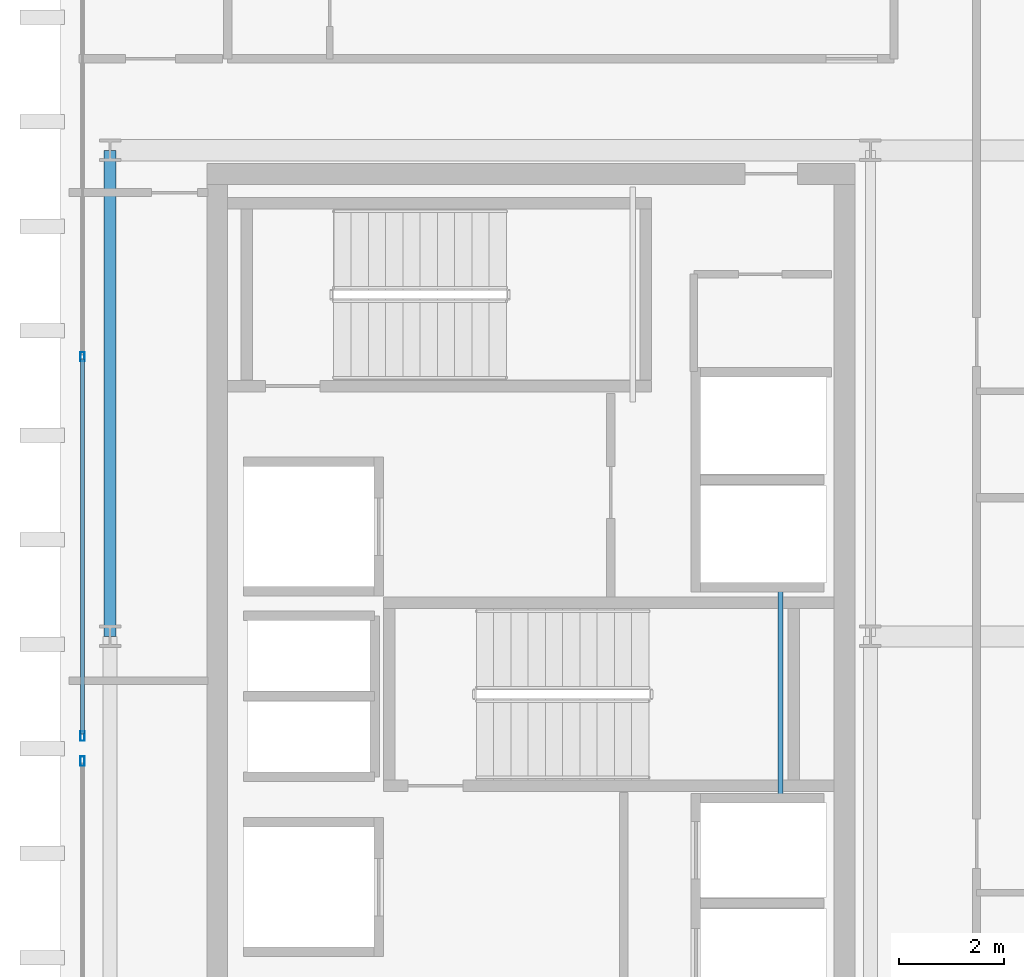
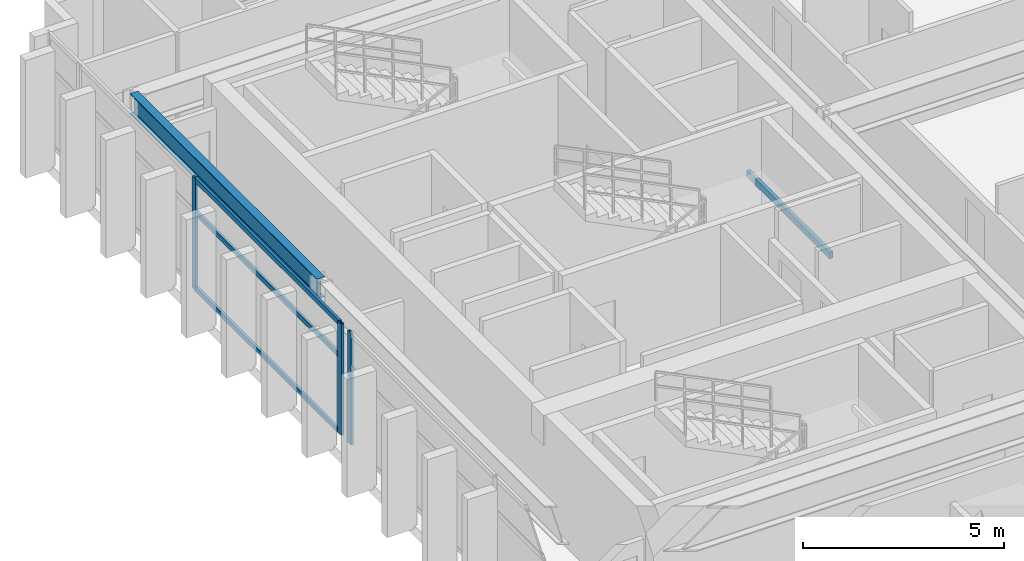
# One storey, part 7 of 17: 6 members, 2 beams, 2 elements without a shape of their own.
"""IFC4 building model written with IfcOpenShell, lengths in metres."""

from ifc_helpers import new_model, si_unit, direction, frame, origin, origin_2d, place, context, subcontext, project, spatial, hollow_rectangle, i_section, extrude, source, transform, mapped, material, layer, layer_set, material_profile, profile_set, type_object, element, aggregate, save


model = new_model("IFC4")

# Units and contexts
model_context = context("Model", 3, precision=1e-05, world=origin(), true_north=direction((0.0, 1.0)))
body_context = subcontext(model_context, "Body", "Model", "MODEL_VIEW")
ifc_project = project(units=[si_unit("LENGTHUNIT", "METRE"), si_unit("AREAUNIT", "SQUARE_METRE"), si_unit("VOLUMEUNIT", "CUBIC_METRE"), si_unit("PLANEANGLEUNIT", "RADIAN"), si_unit("MASSUNIT", "GRAM", prefix="KILO")], contexts=[model_context])

# Site, building, storey
site_placement = place(None, origin())
site = spatial("IfcSite", under=ifc_project, at=site_placement, CompositionType="ELEMENT")
building_placement = place(site_placement, origin())
building = spatial("IfcBuilding", under=site, at=building_placement, Name="Ocotamira Hotel", CompositionType="ELEMENT")
storey_placement = place(building_placement, frame((0.0, 0.0, 272.39990234375)))
storey = spatial("IfcBuildingStorey", under=building, at=storey_placement, Name="L69", CompositionType="ELEMENT", Elevation=272.39990234375)

# Beams
ifc_material_1 = material(Name="Steel ASTM A500 Grade C", Category="steel")
ifc_material_profile_1 = material_profile(ifc_material_1, hollow_rectangle(XDim=0.10009765625, YDim=0.199951171875, WallThickness=0.008056640625, at=origin_2d()), Name="HSS200X100X8")
ifc_profile_set_1 = profile_set([ifc_material_profile_1], Name="Steel ASTM A500 Grade C")
beam_type_1 = type_object("IfcBeamType", Name="BM-STLDG-HSS200", PredefinedType="BEAM", material=ifc_profile_set_1)
shared_shape_1 = source(origin(), body_context, "Body", "SweptSolid", [
    extrude(hollow_rectangle(XDim=0.10009765625, YDim=0.199951171875, WallThickness=0.008056640625, at=origin_2d()), origin(), (0.0, 0.0, 1.0), 4.1201171875),
])
beam_1_placement = place(storey_placement, frame((21.780029296875, 24.97998046875, 1.5), z_axis=(0.0, 1.0, 0.0), x_axis=(-1.0, 0.0, 0.0)))
element("IfcBeam", 1, at=beam_1_placement, inside=storey, type_object=beam_type_1, Name="L69 Stair ST-3 Landing Bearer 1", PredefinedType="BEAM", context=body_context, shape_type="MappedRepresentation", body=[
    mapped(shared_shape_1, transform((0.0, 0.0, 0.0), scale=1.0)),
])
ifc_material_2 = material(Name="Steel ASTM A992 Grade 50", Category="steel")
ifc_material_profile_2 = material_profile(ifc_material_2, i_section(OverallWidth=0.22998046875, OverallDepth=0.616943359375, WebThickness=0.01318359375, FlangeThickness=0.022216796875, FilletRadius=0.012939453125, at=origin_2d()), Name="W24X94")
ifc_profile_set_2 = profile_set([ifc_material_profile_2], Name="Steel ASTM A992 Grade 50")
beam_type_2 = type_object("IfcBeamType", Name="BM-PRIM-W24X94", PredefinedType="BEAM", material=ifc_profile_set_2)
shared_shape_2 = source(origin(), body_context, "Body", "SweptSolid", [
    extrude(i_section(OverallWidth=0.22998046875, OverallDepth=0.616943359375, WebThickness=0.01318359375, FlangeThickness=0.022216796875, FilletRadius=0.012939453125, at=origin_2d()), origin(), (0.0, 0.0, 1.0), 9.300048828125),
])
beam_2_placement = place(storey_placement, frame((8.949951171875, 28.14990234375, 3.071533203125), z_axis=(0.0, 1.0, 0.0), x_axis=(-1.0, 0.0, 0.0)))
element("IfcBeam", 2, at=beam_2_placement, inside=storey, type_object=beam_type_2, Name="L69 Beam X8.95 Y28.15-37.45", PredefinedType="BEAM", context=body_context, shape_type="MappedRepresentation", body=[
    mapped(shared_shape_2, transform((0.0, 0.0, 0.0), scale=1.0)),
])

# Curtain wall, member
ifc_material_3 = material(Name="Anodised pale-metal aluminium and solar glass", Category="aluminium")
ifc_layer = layer(ifc_material_3, 0.2099609375)
ifc_layer_set = layer_set([ifc_layer], Name="Anodised pale-metal aluminium and solar glass")
curtain_wall_type = type_object("IfcCurtainWallType", Name="CW-SYS7-PEAK", PredefinedType="NOTDEFINED", material=ifc_layer_set)
curtain_wall_1_placement = place(storey_placement, origin())
curtain_wall_1 = element("IfcCurtainWall", 3, at=curtain_wall_1_placement, inside=storey, type_object=curtain_wall_type, Name="L69 Curtain Wall CW-7 CW-L69-W1", PredefinedType="NOTDEFINED")
ifc_material_4 = material(Name="Anodised pale-metal aluminium 6063-T6", Category="aluminium")
ifc_material_profile_3 = material_profile(ifc_material_4, hollow_rectangle(XDim=0.080078125, YDim=0.179931640625, WallThickness=0.006103515625, at=origin_2d()), Name="HSS180X80X6")
ifc_profile_set_3 = profile_set([ifc_material_profile_3], Name="Anodised pale-metal aluminium 6063-T6")
member_type_1 = type_object("IfcMemberType", Name="CWM-180X75", PredefinedType="MULLION", material=ifc_profile_set_3)
shared_shape_3 = source(origin(), body_context, "Body", "SweptSolid", [
    extrude(hollow_rectangle(XDim=0.080078125, YDim=0.179931640625, WallThickness=0.006103515625, at=origin_2d()), origin(), (0.0, 0.0, 1.0), 3.380126953125),
])
member_1_placement = place(storey_placement, frame((8.419921875, 25.760009765625, 0.0), z_axis=(0.0, 0.0, 1.0), x_axis=(-1.0, 0.0, 0.0)))
member_1 = element("IfcMember", 4, at=member_1_placement, type_object=member_type_1, Name="CW-7 mullion 3", PredefinedType="MULLION", context=body_context, shape_type="MappedRepresentation", body=[
    mapped(shared_shape_3, transform((0.0, 0.0, 0.0), scale=1.0)),
])
aggregate(curtain_wall_1, [member_1])

# Curtain wall, members
curtain_wall_2_placement = place(storey_placement, origin())
curtain_wall_2 = element("IfcCurtainWall", 5, at=curtain_wall_2_placement, inside=storey, type_object=curtain_wall_type, Name="L69 Curtain Wall CW-7 CW-L69-W2", PredefinedType="NOTDEFINED")
member_2_placement = place(storey_placement, frame((8.419921875, 26.239990234375, 0.0), z_axis=(0.0, 0.0, 1.0), x_axis=(-1.0, 0.0, 0.0)))
member_2 = element("IfcMember", 6, at=member_2_placement, type_object=member_type_1, Name="CW-7 mullion 1", PredefinedType="MULLION", context=body_context, shape_type="MappedRepresentation", body=[
    mapped(shared_shape_3, transform((0.0, 0.0, 0.0), scale=1.0)),
])
member_3_placement = place(storey_placement, frame((8.419921875, 33.5, 0.0), z_axis=(0.0, 0.0, 1.0), x_axis=(-1.0, 0.0, 0.0)))
member_3 = element("IfcMember", 7, at=member_3_placement, type_object=member_type_1, Name="CW-7 mullion 2", PredefinedType="MULLION", context=body_context, shape_type="MappedRepresentation", body=[
    mapped(shared_shape_3, transform((0.0, 0.0, 0.0), scale=1.0)),
])
ifc_material_profile_4 = material_profile(ifc_material_4, hollow_rectangle(XDim=0.074951171875, YDim=0.14990234375, WallThickness=0.006103515625, at=origin_2d()), Name="HSS150X75X6")
ifc_profile_set_4 = profile_set([ifc_material_profile_4], Name="Anodised pale-metal aluminium 6063-T6")
member_type_2 = type_object("IfcMemberType", Name="CWT-150X75", PredefinedType="USERDEFINED", material=ifc_profile_set_4)
shared_shape_4 = source(origin(), body_context, "Body", "SweptSolid", [
    extrude(hollow_rectangle(XDim=0.074951171875, YDim=0.14990234375, WallThickness=0.006103515625, at=origin_2d()), origin(), (0.0, 0.0, 1.0), 7.179931640625),
])
member_4_placement = place(storey_placement, frame((8.419921875, 26.280029296875, 0.03759765625), z_axis=(0.0, 1.0, 0.0), x_axis=(-1.0, 0.0, 0.0)))
member_4 = element("IfcMember", 8, at=member_4_placement, type_object=member_type_2, Name="CW-7 transom 1.1", ObjectType="TRANSOM", PredefinedType="USERDEFINED", context=body_context, shape_type="MappedRepresentation", body=[
    mapped(shared_shape_4, transform((0.0, 0.0, 0.0), scale=1.0)),
])
member_5_placement = place(storey_placement, frame((8.419921875, 26.280029296875, 2.35009765625), z_axis=(0.0, 1.0, 0.0), x_axis=(-1.0, 0.0, 0.0)))
member_5 = element("IfcMember", 9, at=member_5_placement, type_object=member_type_2, Name="CW-7 transom 1.2", ObjectType="TRANSOM", PredefinedType="USERDEFINED", context=body_context, shape_type="MappedRepresentation", body=[
    mapped(shared_shape_4, transform((0.0, 0.0, 0.0), scale=1.0)),
])
member_6_placement = place(storey_placement, frame((8.419921875, 26.280029296875, 3.342529296875), z_axis=(0.0, 1.0, 0.0), x_axis=(-1.0, 0.0, 0.0)))
member_6 = element("IfcMember", 10, at=member_6_placement, type_object=member_type_2, Name="CW-7 transom 1.3", ObjectType="TRANSOM", PredefinedType="USERDEFINED", context=body_context, shape_type="MappedRepresentation", body=[
    mapped(shared_shape_4, transform((0.0, 0.0, 0.0), scale=1.0)),
])
aggregate(curtain_wall_2, [member_2, member_3, member_4, member_5, member_6])

save(model, "model.ifc")
